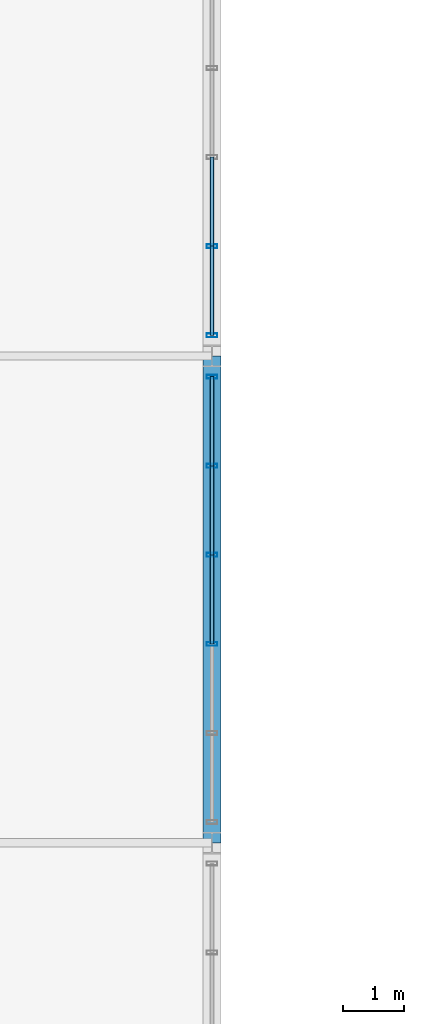
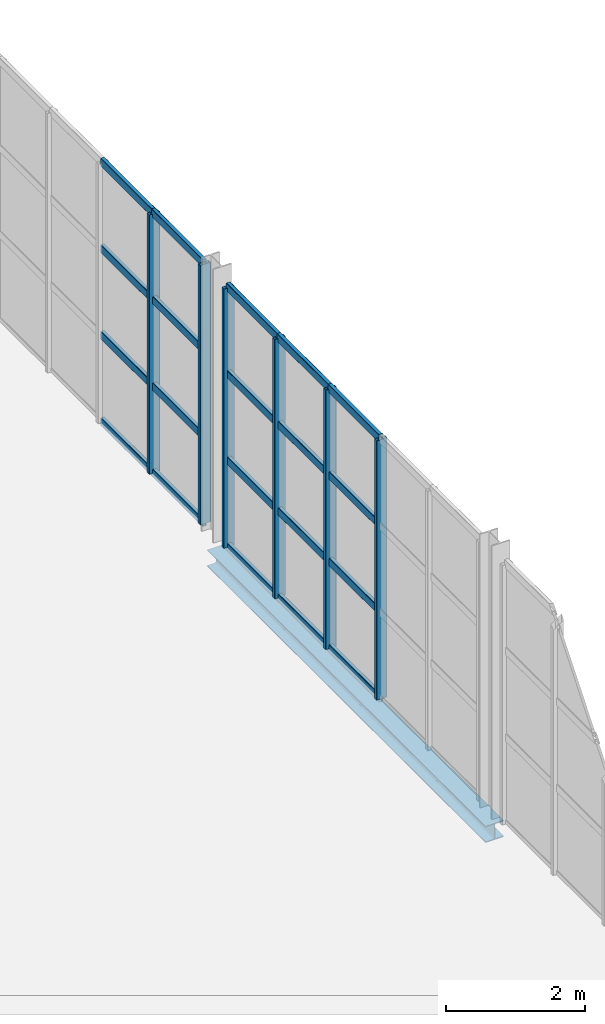
# One storey, part 63 of 143: 26 members, 1 beam, 2 elements without a shape of their own.
"""IFC4 building model written with IfcOpenShell, lengths in metres."""

from ifc_helpers import new_model, si_unit, derived_unit, direction, frame, origin, origin_2d, place, context, subcontext, project, spatial, hollow_rectangle, i_section, extrude, material, material_profile, profile_set, type_object, element, aggregate, save


model = new_model("IFC4")

# Units and contexts
model_context = context("Model", 3, precision=1e-05, world=origin(), true_north=direction((0.0, 1.0)))
body_context = subcontext(model_context, "Body", "Model", "MODEL_VIEW")
ifc_project = project(units=[si_unit("LENGTHUNIT", "METRE"), si_unit("AREAUNIT", "SQUARE_METRE"), si_unit("VOLUMEUNIT", "CUBIC_METRE"), si_unit("PLANEANGLEUNIT", "RADIAN"), si_unit("MASSUNIT", "GRAM", prefix="KILO"), derived_unit("THERMALTRANSMITTANCEUNIT", [(si_unit("POWERUNIT", "WATT"), 1), (si_unit("LENGTHUNIT", "METRE"), -2), (si_unit("THERMODYNAMICTEMPERATUREUNIT", "KELVIN"), -1)])], contexts=[model_context])

# Site, building, storey
site_placement = place(None, origin())
site = spatial("IfcSite", under=ifc_project, at=site_placement, CompositionType="ELEMENT")
building_placement = place(site_placement, origin())
building = spatial("IfcBuilding", under=site, at=building_placement, Name="Keldorne Ridge Multi-Sports Centre", CompositionType="ELEMENT")
storey_placement = place(building_placement, frame((0.0, 0.0, 4.800048828125)))
storey = spatial("IfcBuildingStorey", under=building, at=storey_placement, Name="L01", CompositionType="ELEMENT", Elevation=4.800048828125)

# Beam
ifc_material_1 = material(Name="Steel S355", Category="steel")
ifc_material_profile_1 = material_profile(ifc_material_1, i_section(OverallWidth=0.300048828125, OverallDepth=0.2900390625, WebThickness=0.008544921875, FlangeThickness=0.013916015625, FilletRadius=0.027099609375, at=origin_2d()), Name="HEA 300")
ifc_profile_set_1 = profile_set([ifc_material_profile_1], Name="Steel S355")
beam_type = type_object("IfcBeamType", Name="BM-SP-04", PredefinedType="SPANDREL", material=ifc_profile_set_1)
beam_placement = place(storey_placement, frame((42.0, 90.0, -0.3701171875), z_axis=(0.0, 1.0, 0.0), x_axis=(-1.0, 0.0, 0.0)))
element("IfcBeam", 1, at=beam_placement, inside=storey, type_object=beam_type, Name="Climbing east spandrel L01.3", PredefinedType="SPANDREL", context=body_context, shape_type="SweptSolid", body=[
    extrude(i_section(OverallWidth=0.300048828125, OverallDepth=0.2900390625, WebThickness=0.008544921875, FlangeThickness=0.013916015625, FilletRadius=0.027099609375, at=origin_2d()), origin(), (0.0, 0.0, 1.0), 8.0),
])

# Curtain wall, members
ifc_material_2 = material(Name="Anodized aluminium", Category="aluminium")
curtain_wall_type_1 = type_object("IfcCurtainWallType", Name="CW-CW-01", PredefinedType="NOTDEFINED", material=ifc_material_2)
curtain_wall_1_placement = place(storey_placement, origin())
curtain_wall_1 = element("IfcCurtainWall", 2, at=curtain_wall_1_placement, inside=storey, type_object=curtain_wall_type_1, Name="Climbing east courtyard glazing L01 065", PredefinedType="NOTDEFINED")
ifc_material_profile_2 = material_profile(ifc_material_2, hollow_rectangle(XDim=0.06494140625, YDim=0.179931640625, WallThickness=0.00439453125, InnerFilletRadius=0.00439453125, OuterFilletRadius=0.009033203125, at=origin_2d()), Name="ALU MULLION 180x65x4.5")
ifc_profile_set_2 = profile_set([ifc_material_profile_2], Name="Anodized aluminium")
member_type_1 = type_object("IfcMemberType", Name="MEM-ML-01", PredefinedType="MULLION", material=ifc_profile_set_2)
member_1_placement = place(storey_placement, frame((42.0, 93.26806640625, 0.0), z_axis=(0.0, 0.0, 1.0), x_axis=(0.0, 1.0, 0.0)))
member_1 = element("IfcMember", 3, at=member_1_placement, type_object=member_type_1, Name="CW-065 vertical mullion 3", PredefinedType="MULLION", context=body_context, shape_type="SweptSolid", body=[
    extrude(hollow_rectangle(XDim=0.06494140625, YDim=0.179931640625, WallThickness=0.00439453125, InnerFilletRadius=0.00439453125, OuterFilletRadius=0.009033203125, at=origin_2d()), origin(), (0.0, 0.0, 1.0), 4.550048828125),
])
member_2_placement = place(storey_placement, frame((42.0, 94.73193359375, 0.0), z_axis=(0.0, 0.0, 1.0), x_axis=(0.0, 1.0, 0.0)))
member_2 = element("IfcMember", 4, at=member_2_placement, type_object=member_type_1, Name="CW-065 vertical mullion 4", PredefinedType="MULLION", context=body_context, shape_type="SweptSolid", body=[
    extrude(hollow_rectangle(XDim=0.06494140625, YDim=0.179931640625, WallThickness=0.00439453125, InnerFilletRadius=0.00439453125, OuterFilletRadius=0.009033203125, at=origin_2d()), origin(), (0.0, 0.0, 1.0), 4.550048828125),
])
member_3_placement = place(storey_placement, frame((42.0, 96.196044921875, 0.0), z_axis=(0.0, 0.0, 1.0), x_axis=(0.0, 1.0, 0.0)))
member_3 = element("IfcMember", 5, at=member_3_placement, type_object=member_type_1, Name="CW-065 vertical mullion 5", PredefinedType="MULLION", context=body_context, shape_type="SweptSolid", body=[
    extrude(hollow_rectangle(XDim=0.06494140625, YDim=0.179931640625, WallThickness=0.00439453125, InnerFilletRadius=0.00439453125, OuterFilletRadius=0.009033203125, at=origin_2d()), origin(), (0.0, 0.0, 1.0), 4.550048828125),
])
member_4_placement = place(storey_placement, frame((42.0, 97.659912109375, 0.0), z_axis=(0.0, 0.0, 1.0), x_axis=(0.0, 1.0, 0.0)))
member_4 = element("IfcMember", 6, at=member_4_placement, type_object=member_type_1, Name="CW-065 vertical mullion 6", PredefinedType="MULLION", context=body_context, shape_type="SweptSolid", body=[
    extrude(hollow_rectangle(XDim=0.06494140625, YDim=0.179931640625, WallThickness=0.00439453125, InnerFilletRadius=0.00439453125, OuterFilletRadius=0.009033203125, at=origin_2d()), origin(), (0.0, 0.0, 1.0), 4.550048828125),
])

curtain_wall_type_2 = type_object("IfcCurtainWallType", Name="CW-CW-04", PredefinedType="NOTDEFINED", material=ifc_material_2)
curtain_wall_2_placement = place(storey_placement, origin())
curtain_wall_2 = element("IfcCurtainWall", 7, at=curtain_wall_2_placement, inside=storey, type_object=curtain_wall_type_2, Name="Climbing east courtyard glazing L01 068", PredefinedType="NOTDEFINED")
member_5_placement = place(storey_placement, frame((42.0, 98.340087890625, 0.0), z_axis=(0.0, 0.0, 1.0), x_axis=(0.0, 1.0, 0.0)))
member_5 = element("IfcMember", 8, at=member_5_placement, type_object=member_type_1, Name="CW-068 vertical mullion 1", PredefinedType="MULLION", context=body_context, shape_type="SweptSolid", body=[
    extrude(hollow_rectangle(XDim=0.06494140625, YDim=0.179931640625, WallThickness=0.00439453125, InnerFilletRadius=0.00439453125, OuterFilletRadius=0.009033203125, at=origin_2d()), origin(), (0.0, 0.0, 1.0), 4.550048828125),
])
member_6_placement = place(storey_placement, frame((42.0, 99.803955078125, 0.0), z_axis=(0.0, 0.0, 1.0), x_axis=(0.0, 1.0, 0.0)))
member_6 = element("IfcMember", 9, at=member_6_placement, type_object=member_type_1, Name="CW-068 vertical mullion 2", PredefinedType="MULLION", context=body_context, shape_type="SweptSolid", body=[
    extrude(hollow_rectangle(XDim=0.06494140625, YDim=0.179931640625, WallThickness=0.00439453125, InnerFilletRadius=0.00439453125, OuterFilletRadius=0.009033203125, at=origin_2d()), origin(), (0.0, 0.0, 1.0), 4.550048828125),
])

# Member
ifc_material_profile_3 = material_profile(ifc_material_2, hollow_rectangle(XDim=0.06494140625, YDim=0.139892578125, WallThickness=0.00439453125, InnerFilletRadius=0.00439453125, OuterFilletRadius=0.009033203125, at=origin_2d()), Name="ALU TRANSOM 140x65x4.5")
ifc_profile_set_3 = profile_set([ifc_material_profile_3], Name="Anodized aluminium")
member_type_2 = type_object("IfcMemberType", Name="MEM-TR-01", PredefinedType="USERDEFINED", material=ifc_profile_set_3)
member_7_placement = place(storey_placement, frame((42.0, 93.26806640625, 0.0), z_axis=(0.0, 1.0, 0.0), x_axis=(-1.0, 0.0, 0.0)))
member_7 = element("IfcMember", 10, at=member_7_placement, type_object=member_type_2, Name="CW-065 transom 3.1", ObjectType="TRANSOM", PredefinedType="USERDEFINED", context=body_context, shape_type="SweptSolid", body=[
    extrude(hollow_rectangle(XDim=0.06494140625, YDim=0.139892578125, WallThickness=0.00439453125, InnerFilletRadius=0.00439453125, OuterFilletRadius=0.009033203125, at=origin_2d()), origin(), (0.0, 0.0, 1.0), 1.4638671875),
])

member_8_placement = place(storey_placement, frame((42.0, 93.26806640625, 1.5166015625), z_axis=(0.0, 1.0, 0.0), x_axis=(-1.0, 0.0, 0.0)))
member_8 = element("IfcMember", 11, at=member_8_placement, type_object=member_type_2, Name="CW-065 transom 3.2", ObjectType="TRANSOM", PredefinedType="USERDEFINED", context=body_context, shape_type="SweptSolid", body=[
    extrude(hollow_rectangle(XDim=0.06494140625, YDim=0.139892578125, WallThickness=0.00439453125, InnerFilletRadius=0.00439453125, OuterFilletRadius=0.009033203125, at=origin_2d()), origin(), (0.0, 0.0, 1.0), 1.4638671875),
])

member_9_placement = place(storey_placement, frame((42.0, 93.26806640625, 3.033203125), z_axis=(0.0, 1.0, 0.0), x_axis=(-1.0, 0.0, 0.0)))
member_9 = element("IfcMember", 12, at=member_9_placement, type_object=member_type_2, Name="CW-065 transom 3.3", ObjectType="TRANSOM", PredefinedType="USERDEFINED", context=body_context, shape_type="SweptSolid", body=[
    extrude(hollow_rectangle(XDim=0.06494140625, YDim=0.139892578125, WallThickness=0.00439453125, InnerFilletRadius=0.00439453125, OuterFilletRadius=0.009033203125, at=origin_2d()), origin(), (0.0, 0.0, 1.0), 1.4638671875),
])

member_10_placement = place(storey_placement, frame((42.0, 93.26806640625, 4.550048828125), z_axis=(0.0, 1.0, 0.0), x_axis=(-1.0, 0.0, 0.0)))
member_10 = element("IfcMember", 13, at=member_10_placement, type_object=member_type_2, Name="CW-065 transom 3.4", ObjectType="TRANSOM", PredefinedType="USERDEFINED", context=body_context, shape_type="SweptSolid", body=[
    extrude(hollow_rectangle(XDim=0.06494140625, YDim=0.139892578125, WallThickness=0.00439453125, InnerFilletRadius=0.00439453125, OuterFilletRadius=0.009033203125, at=origin_2d()), origin(), (0.0, 0.0, 1.0), 1.4638671875),
])

member_11_placement = place(storey_placement, frame((42.0, 94.73193359375, 0.0), z_axis=(0.0, 1.0, 0.0), x_axis=(-1.0, 0.0, 0.0)))
member_11 = element("IfcMember", 14, at=member_11_placement, type_object=member_type_2, Name="CW-065 transom 4.1", ObjectType="TRANSOM", PredefinedType="USERDEFINED", context=body_context, shape_type="SweptSolid", body=[
    extrude(hollow_rectangle(XDim=0.06494140625, YDim=0.139892578125, WallThickness=0.00439453125, InnerFilletRadius=0.00439453125, OuterFilletRadius=0.009033203125, at=origin_2d()), origin(), (0.0, 0.0, 1.0), 1.464111328125),
])

member_12_placement = place(storey_placement, frame((42.0, 94.73193359375, 1.5166015625), z_axis=(0.0, 1.0, 0.0), x_axis=(-1.0, 0.0, 0.0)))
member_12 = element("IfcMember", 15, at=member_12_placement, type_object=member_type_2, Name="CW-065 transom 4.2", ObjectType="TRANSOM", PredefinedType="USERDEFINED", context=body_context, shape_type="SweptSolid", body=[
    extrude(hollow_rectangle(XDim=0.06494140625, YDim=0.139892578125, WallThickness=0.00439453125, InnerFilletRadius=0.00439453125, OuterFilletRadius=0.009033203125, at=origin_2d()), origin(), (0.0, 0.0, 1.0), 1.464111328125),
])

member_13_placement = place(storey_placement, frame((42.0, 94.73193359375, 3.033203125), z_axis=(0.0, 1.0, 0.0), x_axis=(-1.0, 0.0, 0.0)))
member_13 = element("IfcMember", 16, at=member_13_placement, type_object=member_type_2, Name="CW-065 transom 4.3", ObjectType="TRANSOM", PredefinedType="USERDEFINED", context=body_context, shape_type="SweptSolid", body=[
    extrude(hollow_rectangle(XDim=0.06494140625, YDim=0.139892578125, WallThickness=0.00439453125, InnerFilletRadius=0.00439453125, OuterFilletRadius=0.009033203125, at=origin_2d()), origin(), (0.0, 0.0, 1.0), 1.464111328125),
])

member_14_placement = place(storey_placement, frame((42.0, 94.73193359375, 4.550048828125), z_axis=(0.0, 1.0, 0.0), x_axis=(-1.0, 0.0, 0.0)))
member_14 = element("IfcMember", 17, at=member_14_placement, type_object=member_type_2, Name="CW-065 transom 4.4", ObjectType="TRANSOM", PredefinedType="USERDEFINED", context=body_context, shape_type="SweptSolid", body=[
    extrude(hollow_rectangle(XDim=0.06494140625, YDim=0.139892578125, WallThickness=0.00439453125, InnerFilletRadius=0.00439453125, OuterFilletRadius=0.009033203125, at=origin_2d()), origin(), (0.0, 0.0, 1.0), 1.464111328125),
])

member_15_placement = place(storey_placement, frame((42.0, 96.196044921875, 0.0), z_axis=(0.0, 1.0, 0.0), x_axis=(-1.0, 0.0, 0.0)))
member_15 = element("IfcMember", 18, at=member_15_placement, type_object=member_type_2, Name="CW-065 transom 5.1", ObjectType="TRANSOM", PredefinedType="USERDEFINED", context=body_context, shape_type="SweptSolid", body=[
    extrude(hollow_rectangle(XDim=0.06494140625, YDim=0.139892578125, WallThickness=0.00439453125, InnerFilletRadius=0.00439453125, OuterFilletRadius=0.009033203125, at=origin_2d()), origin(), (0.0, 0.0, 1.0), 1.4638671875),
])

member_16_placement = place(storey_placement, frame((42.0, 96.196044921875, 1.5166015625), z_axis=(0.0, 1.0, 0.0), x_axis=(-1.0, 0.0, 0.0)))
member_16 = element("IfcMember", 19, at=member_16_placement, type_object=member_type_2, Name="CW-065 transom 5.2", ObjectType="TRANSOM", PredefinedType="USERDEFINED", context=body_context, shape_type="SweptSolid", body=[
    extrude(hollow_rectangle(XDim=0.06494140625, YDim=0.139892578125, WallThickness=0.00439453125, InnerFilletRadius=0.00439453125, OuterFilletRadius=0.009033203125, at=origin_2d()), origin(), (0.0, 0.0, 1.0), 1.4638671875),
])

member_17_placement = place(storey_placement, frame((42.0, 96.196044921875, 3.033203125), z_axis=(0.0, 1.0, 0.0), x_axis=(-1.0, 0.0, 0.0)))
member_17 = element("IfcMember", 20, at=member_17_placement, type_object=member_type_2, Name="CW-065 transom 5.3", ObjectType="TRANSOM", PredefinedType="USERDEFINED", context=body_context, shape_type="SweptSolid", body=[
    extrude(hollow_rectangle(XDim=0.06494140625, YDim=0.139892578125, WallThickness=0.00439453125, InnerFilletRadius=0.00439453125, OuterFilletRadius=0.009033203125, at=origin_2d()), origin(), (0.0, 0.0, 1.0), 1.4638671875),
])

member_18_placement = place(storey_placement, frame((42.0, 96.196044921875, 4.550048828125), z_axis=(0.0, 1.0, 0.0), x_axis=(-1.0, 0.0, 0.0)))
member_18 = element("IfcMember", 21, at=member_18_placement, type_object=member_type_2, Name="CW-065 transom 5.4", ObjectType="TRANSOM", PredefinedType="USERDEFINED", context=body_context, shape_type="SweptSolid", body=[
    extrude(hollow_rectangle(XDim=0.06494140625, YDim=0.139892578125, WallThickness=0.00439453125, InnerFilletRadius=0.00439453125, OuterFilletRadius=0.009033203125, at=origin_2d()), origin(), (0.0, 0.0, 1.0), 1.4638671875),
])

aggregate(curtain_wall_1, [member_1, member_2, member_3, member_4, member_7, member_8, member_9, member_10, member_11, member_12, member_13, member_14, member_15, member_16, member_17, member_18])

member_19_placement = place(storey_placement, frame((42.0, 98.340087890625, 0.0), z_axis=(0.0, 1.0, 0.0), x_axis=(-1.0, 0.0, 0.0)))
member_19 = element("IfcMember", 22, at=member_19_placement, type_object=member_type_2, Name="CW-068 transom 1.1", ObjectType="TRANSOM", PredefinedType="USERDEFINED", context=body_context, shape_type="SweptSolid", body=[
    extrude(hollow_rectangle(XDim=0.06494140625, YDim=0.139892578125, WallThickness=0.00439453125, InnerFilletRadius=0.00439453125, OuterFilletRadius=0.009033203125, at=origin_2d()), origin(), (0.0, 0.0, 1.0), 1.4638671875),
])

member_20_placement = place(storey_placement, frame((42.0, 98.340087890625, 1.5166015625), z_axis=(0.0, 1.0, 0.0), x_axis=(-1.0, 0.0, 0.0)))
member_20 = element("IfcMember", 23, at=member_20_placement, type_object=member_type_2, Name="CW-068 transom 1.2", ObjectType="TRANSOM", PredefinedType="USERDEFINED", context=body_context, shape_type="SweptSolid", body=[
    extrude(hollow_rectangle(XDim=0.06494140625, YDim=0.139892578125, WallThickness=0.00439453125, InnerFilletRadius=0.00439453125, OuterFilletRadius=0.009033203125, at=origin_2d()), origin(), (0.0, 0.0, 1.0), 1.4638671875),
])

member_21_placement = place(storey_placement, frame((42.0, 98.340087890625, 3.033203125), z_axis=(0.0, 1.0, 0.0), x_axis=(-1.0, 0.0, 0.0)))
member_21 = element("IfcMember", 24, at=member_21_placement, type_object=member_type_2, Name="CW-068 transom 1.3", ObjectType="TRANSOM", PredefinedType="USERDEFINED", context=body_context, shape_type="SweptSolid", body=[
    extrude(hollow_rectangle(XDim=0.06494140625, YDim=0.139892578125, WallThickness=0.00439453125, InnerFilletRadius=0.00439453125, OuterFilletRadius=0.009033203125, at=origin_2d()), origin(), (0.0, 0.0, 1.0), 1.4638671875),
])

member_22_placement = place(storey_placement, frame((42.0, 98.340087890625, 4.550048828125), z_axis=(0.0, 1.0, 0.0), x_axis=(-1.0, 0.0, 0.0)))
member_22 = element("IfcMember", 25, at=member_22_placement, type_object=member_type_2, Name="CW-068 transom 1.4", ObjectType="TRANSOM", PredefinedType="USERDEFINED", context=body_context, shape_type="SweptSolid", body=[
    extrude(hollow_rectangle(XDim=0.06494140625, YDim=0.139892578125, WallThickness=0.00439453125, InnerFilletRadius=0.00439453125, OuterFilletRadius=0.009033203125, at=origin_2d()), origin(), (0.0, 0.0, 1.0), 1.4638671875),
])

member_23_placement = place(storey_placement, frame((42.0, 99.803955078125, 0.0), z_axis=(0.0, 1.0, 0.0), x_axis=(-1.0, 0.0, 0.0)))
member_23 = element("IfcMember", 26, at=member_23_placement, type_object=member_type_2, Name="CW-068 transom 2.1", ObjectType="TRANSOM", PredefinedType="USERDEFINED", context=body_context, shape_type="SweptSolid", body=[
    extrude(hollow_rectangle(XDim=0.06494140625, YDim=0.139892578125, WallThickness=0.00439453125, InnerFilletRadius=0.00439453125, OuterFilletRadius=0.009033203125, at=origin_2d()), origin(), (0.0, 0.0, 1.0), 1.464111328125),
])

member_24_placement = place(storey_placement, frame((42.0, 99.803955078125, 1.5166015625), z_axis=(0.0, 1.0, 0.0), x_axis=(-1.0, 0.0, 0.0)))
member_24 = element("IfcMember", 27, at=member_24_placement, type_object=member_type_2, Name="CW-068 transom 2.2", ObjectType="TRANSOM", PredefinedType="USERDEFINED", context=body_context, shape_type="SweptSolid", body=[
    extrude(hollow_rectangle(XDim=0.06494140625, YDim=0.139892578125, WallThickness=0.00439453125, InnerFilletRadius=0.00439453125, OuterFilletRadius=0.009033203125, at=origin_2d()), origin(), (0.0, 0.0, 1.0), 1.464111328125),
])

member_25_placement = place(storey_placement, frame((42.0, 99.803955078125, 3.033203125), z_axis=(0.0, 1.0, 0.0), x_axis=(-1.0, 0.0, 0.0)))
member_25 = element("IfcMember", 28, at=member_25_placement, type_object=member_type_2, Name="CW-068 transom 2.3", ObjectType="TRANSOM", PredefinedType="USERDEFINED", context=body_context, shape_type="SweptSolid", body=[
    extrude(hollow_rectangle(XDim=0.06494140625, YDim=0.139892578125, WallThickness=0.00439453125, InnerFilletRadius=0.00439453125, OuterFilletRadius=0.009033203125, at=origin_2d()), origin(), (0.0, 0.0, 1.0), 1.464111328125),
])

member_26_placement = place(storey_placement, frame((42.0, 99.803955078125, 4.550048828125), z_axis=(0.0, 1.0, 0.0), x_axis=(-1.0, 0.0, 0.0)))
member_26 = element("IfcMember", 29, at=member_26_placement, type_object=member_type_2, Name="CW-068 transom 2.4", ObjectType="TRANSOM", PredefinedType="USERDEFINED", context=body_context, shape_type="SweptSolid", body=[
    extrude(hollow_rectangle(XDim=0.06494140625, YDim=0.139892578125, WallThickness=0.00439453125, InnerFilletRadius=0.00439453125, OuterFilletRadius=0.009033203125, at=origin_2d()), origin(), (0.0, 0.0, 1.0), 1.464111328125),
])

aggregate(curtain_wall_2, [member_5, member_6, member_19, member_20, member_21, member_22, member_23, member_24, member_25, member_26])

save(model, "model.ifc")
